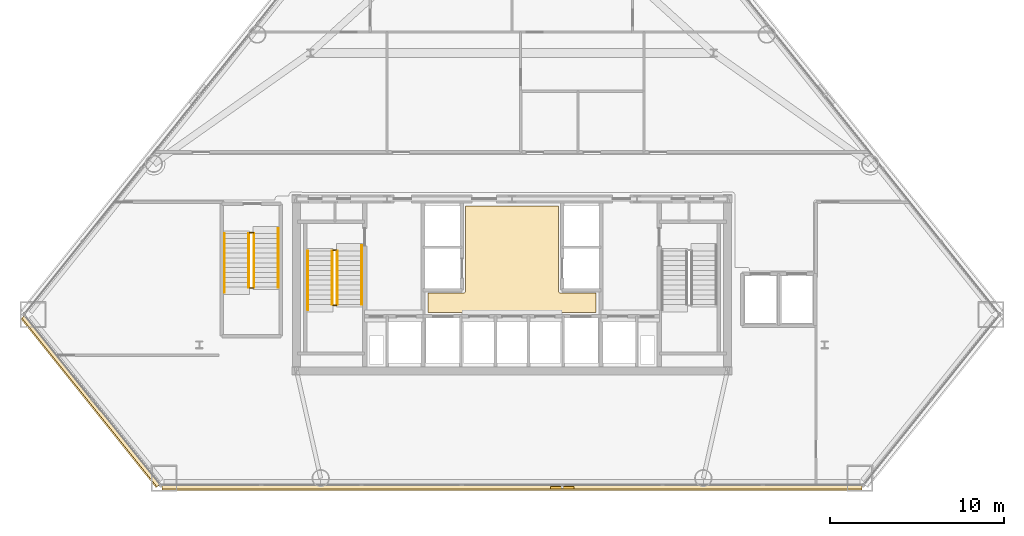
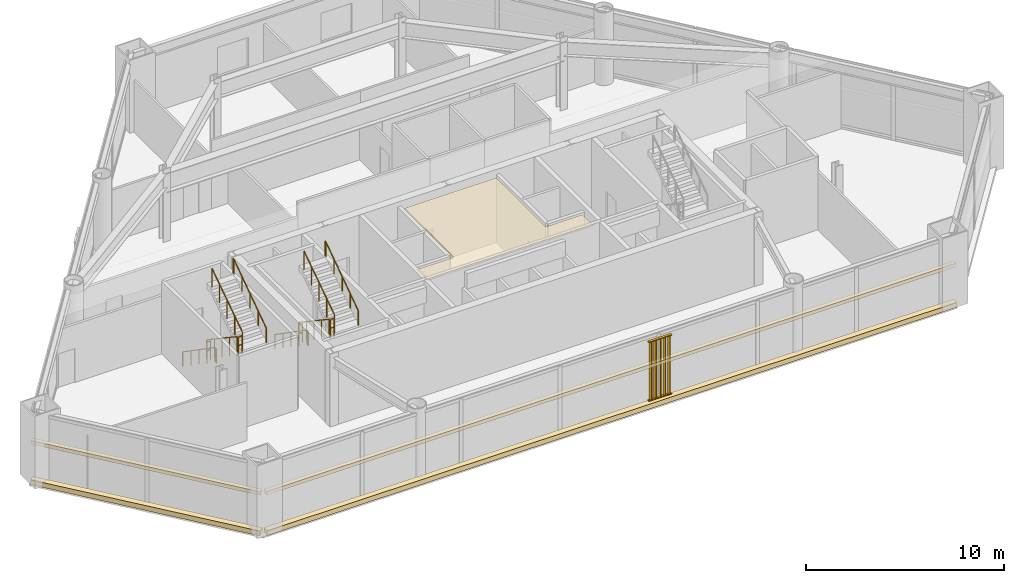
# One storey, part 11 of 13: 12 railings, 5 coverings, 1 shading device.
"""IFC4 building model written with IfcOpenShell, lengths in metres."""

import ifcopenshell
import ifcopenshell.guid

model = None  # the IFC model being written
_history = None  # IfcOwnerHistory: only IFC2X3 demands one
_inside = {}  # id of a spatial element -> (the spatial element, [elements in it])
_under = {}  # id of a project, library or spatial element -> (it, [spatial elements below it])
_declared = {}  # id of a project -> (the project, [libraries it declares])
_typed = {}  # id of a type object -> (the type object, [elements of that type])
_made_of = {}  # id of a material, layer set ... -> (it, [elements and type objects made of it])


def new_model(schema):
    """Start an empty IFC model of exactly this schema.

    Asked for "IFC4X3", IfcOpenShell would pick the latest addendum, in which some entities
    have other attributes; the version numbers below select the first issue.
    IFC2X3 requires an IfcOwnerHistory on every rooted entity: one is made here for all.
    """
    global model, _history
    if schema == "IFC4X3":
        model = ifcopenshell.file(schema_version=(4, 3, 0, 0))
    else:
        model = ifcopenshell.file(schema=schema)
    _inside.clear()
    _under.clear()
    _declared.clear()
    _typed.clear()
    _made_of.clear()
    _history = None
    if model.schema == "IFC2X3":
        org = make("IfcOrganization", Name="unknown")
        user = make(
            "IfcPersonAndOrganization",
            ThePerson=make("IfcPerson", FamilyName="unknown"),
            TheOrganization=org,
        )
        app = make(
            "IfcApplication",
            ApplicationDeveloper=org,
            Version="unknown",
            ApplicationFullName="unknown",
            ApplicationIdentifier="unknown",
        )
        _history = make(
            "IfcOwnerHistory",
            OwningUser=user,
            OwningApplication=app,
            ChangeAction="ADDED",
            CreationDate=0,
        )
    return model


def make(cls, **values):
    """One entity of the class cls with the attributes given. An attribute that is None is left unset."""
    return model.create_entity(
        cls, **{name: value for name, value in values.items() if value is not None}
    )


def rooted(cls, **values):
    """An entity with a GlobalId (a new one), such as an element, a storey or a relation."""
    return make(cls, GlobalId=ifcopenshell.guid.new(), OwnerHistory=_history, **values)


def si_unit(unit_type, name, prefix=None):
    """IfcSIUnit, for example si_unit("LENGTHUNIT", "METRE", prefix="MILLI")."""
    return make("IfcSIUnit", UnitType=unit_type, Prefix=prefix, Name=name)


def assignment(units):
    """IfcUnitAssignment: the units of a project."""
    return None if units is None else make("IfcUnitAssignment", Units=units)


def point(xyz):
    """IfcCartesianPoint."""
    return None if xyz is None else make("IfcCartesianPoint", Coordinates=xyz)


def direction(xyz):
    """IfcDirection."""
    return None if xyz is None else make("IfcDirection", DirectionRatios=xyz)


def frame(location, z_axis=None, x_axis=None):
    """IfcAxis2Placement3D, a coordinate frame: its origin and axes. An axis left out is left unset."""
    return make(
        "IfcAxis2Placement3D",
        Location=point(location),
        Axis=direction(z_axis),
        RefDirection=direction(x_axis),
    )


def frame_2d(location, x_axis=None):
    """IfcAxis2Placement2D, a coordinate frame in the plane: its origin and x axis."""
    return make(
        "IfcAxis2Placement2D", Location=point(location), RefDirection=direction(x_axis)
    )


def origin():
    """The frame at (0, 0, 0) with its axes left unset."""
    return frame((0.0, 0.0, 0.0))


def origin_2d():
    """The frame at (0, 0) in the plane with its x axis left unset."""
    return frame_2d((0.0, 0.0))


def place(relative_to, where):
    """IfcLocalPlacement: puts the frame where relative to a parent placement (None: the world)."""
    return make(
        "IfcLocalPlacement", PlacementRelTo=relative_to, RelativePlacement=where
    )


def context(
    kind, dimensions, precision=None, world=None, true_north=None, identifier=None
):
    """IfcGeometricRepresentationContext, for example the 3D "Model" context."""
    return make(
        "IfcGeometricRepresentationContext",
        ContextIdentifier=identifier,
        ContextType=kind,
        CoordinateSpaceDimension=dimensions,
        Precision=precision,
        WorldCoordinateSystem=world,
        TrueNorth=true_north,
    )


def subcontext(parent, identifier, kind, view, scale=None):
    """IfcGeometricRepresentationSubContext, for example "Body" below "Model"."""
    return make(
        "IfcGeometricRepresentationSubContext",
        ContextIdentifier=identifier,
        ContextType=kind,
        ParentContext=parent,
        TargetScale=scale,
        TargetView=view,
    )


def project(units=None, contexts=None):
    """IfcProject with its units and contexts."""
    return rooted(
        "IfcProject",
        Name="project",
        RepresentationContexts=contexts,
        UnitsInContext=assignment(units),
    )


def spatial(cls, under=None, at=None, **own):
    """A site, building, storey or space (cls), placed at a placement, below another one or the project."""
    s = rooted(cls, ObjectPlacement=at, **own)
    if under is not None:
        _under.setdefault(under.id(), (under, []))[1].append(s)
    return s


def polyline(points):
    """IfcPolyline through the points."""
    return make("IfcPolyline", Points=[point(p) for p in points])


def profile(cls, at=None, kind="AREA", **sizes):
    """A parametric profile (cls). Its sizes go by their IFC names, for example OverallWidth=200.0."""
    return make(cls, ProfileType=kind, Position=at, **sizes)


def rectangle(**sizes):
    """IfcRectangleProfileDef."""
    return profile("IfcRectangleProfileDef", **sizes)


def outline(outer, holes=None, kind="AREA"):
    """IfcArbitraryClosedProfileDef: a profile drawn as a closed curve; with holes, ...WithVoids."""
    if holes is None:
        return make("IfcArbitraryClosedProfileDef", ProfileType=kind, OuterCurve=outer)
    return make(
        "IfcArbitraryProfileDefWithVoids",
        ProfileType=kind,
        OuterCurve=outer,
        InnerCurves=holes,
    )


def extrude(swept, where, along, depth):
    """IfcExtrudedAreaSolid: the profile swept, set in the frame where, extruded along a direction by depth."""
    return make(
        "IfcExtrudedAreaSolid",
        SweptArea=swept,
        Position=where,
        ExtrudedDirection=direction(along),
        Depth=depth,
    )


def shape(context_of_items, identifier, shape_type, items):
    """IfcShapeRepresentation: the items that make up one representation, for example the "Body"."""
    return make(
        "IfcShapeRepresentation",
        ContextOfItems=context_of_items,
        RepresentationIdentifier=identifier,
        RepresentationType=shape_type,
        Items=items,
    )


def source(mapping_origin, context_of_items, identifier, shape_type, items):
    """IfcRepresentationMap: a shape defined once, which mapped items show again and again."""
    return make(
        "IfcRepresentationMap",
        MappingOrigin=mapping_origin,
        MappedRepresentation=shape(context_of_items, identifier, shape_type, items),
    )


def transform(
    local_origin,
    x_axis=None,
    y_axis=None,
    z_axis=None,
    scale=None,
    scale2=None,
    scale3=None,
    uniform=True,
):
    """IfcCartesianTransformationOperator3D, or its non-uniform kind. x_axis, y_axis, z_axis: its Axis1, 2, 3."""
    if uniform:
        return make(
            "IfcCartesianTransformationOperator3D",
            Axis1=direction(x_axis),
            Axis2=direction(y_axis),
            LocalOrigin=point(local_origin),
            Scale=scale,
            Axis3=direction(z_axis),
        )
    return make(
        "IfcCartesianTransformationOperator3DnonUniform",
        Axis1=direction(x_axis),
        Axis2=direction(y_axis),
        LocalOrigin=point(local_origin),
        Scale=scale,
        Axis3=direction(z_axis),
        Scale2=scale2,
        Scale3=scale3,
    )


def mapped(mapping_source, mapping_target):
    """IfcMappedItem: shows the shape of a source again, moved by a transform."""
    return make(
        "IfcMappedItem", MappingSource=mapping_source, MappingTarget=mapping_target
    )


def material(Name=None, Category=None):
    """IfcMaterial."""
    return make("IfcMaterial", Name=Name, Category=Category)


def layer(
    of_material, thickness, ventilated=None, Name=None, Category=None, Priority=None
):
    """IfcMaterialLayer: one layer of a wall or slab, of a material (None: an air gap)."""
    return make(
        "IfcMaterialLayer",
        Material=of_material,
        LayerThickness=thickness,
        IsVentilated=ventilated,
        Name=Name,
        Category=Category,
        Priority=Priority,
    )


def layer_set(layers, Name=None):
    """IfcMaterialLayerSet."""
    return make("IfcMaterialLayerSet", MaterialLayers=layers, LayerSetName=Name)


def made_of(thing, what):
    """Note that an element or type object is made of a material, layer set ...; save() writes the relation."""
    if what is not None:
        _made_of.setdefault(what.id(), (what, []))[1].append(thing)
    return thing


def type_object(cls, material=None, **own):
    """A type object (cls), such as IfcWallType, which elements share."""
    return made_of(rooted(cls, **own), material)


def type_shapes(of_type, sources):
    """Give a type object the sources (RepresentationMaps) that its elements show as mapped items."""
    of_type.RepresentationMaps = sources


def element(
    cls,
    number,
    at=None,
    inside=None,
    cuts=None,
    type_object=None,
    material=None,
    context=None,
    identifier="Body",
    shape_type=None,
    held_by="IfcProductDefinitionShape",
    body=None,
    shapes=None,
    **own,
):
    """One element of the class cls, such as IfcWall. Its Tag is "e" and its number.

    at: its placement. inside: the storey or other place that contains it. cuts: it is an
    opening in that element (IfcRelVoidsElement). A single representation is given by context,
    identifier, shape_type and body (its items); several are given by shapes. held_by: the class
    of the entity that holds the representations. save() writes the other relations.
    """
    e = rooted(cls, Tag="e%d" % number, ObjectPlacement=at, **own)
    if body is not None:
        shapes = [shape(context, identifier, shape_type, body)]
    if shapes is not None:
        e.Representation = make(held_by, Representations=shapes)
    if inside is not None:
        _inside.setdefault(inside.id(), (inside, []))[1].append(e)
    if cuts is not None:
        rooted(
            "IfcRelVoidsElement", RelatingBuildingElement=cuts, RelatedOpeningElement=e
        )
    if type_object is not None:
        _typed.setdefault(type_object.id(), (type_object, []))[1].append(e)
    return made_of(e, material)


def aggregate(whole, parts):
    """IfcRelAggregates: a whole, such as a stair, and the parts it consists of."""
    return rooted("IfcRelAggregates", RelatingObject=whole, RelatedObjects=parts)


def save(model, path):
    """Write the relations noted so far, then the file.

    IfcRelAggregates (storeys below a building ...), IfcRelContainedInSpatialStructure (elements
    in a storey), IfcRelDefinesByType, IfcRelAssociatesMaterial and IfcRelDeclares: one each for
    every whole, place, type object, material and project.
    """
    for whole, parts in _under.values():
        aggregate(whole, parts)
    for where, things in _inside.values():
        rooted(
            "IfcRelContainedInSpatialStructure",
            RelatedElements=things,
            RelatingStructure=where,
        )
    for kind, things in _typed.values():
        rooted("IfcRelDefinesByType", RelatedObjects=things, RelatingType=kind)
    for what, things in _made_of.values():
        rooted("IfcRelAssociatesMaterial", RelatedObjects=things, RelatingMaterial=what)
    for by, libraries in _declared.values():
        rooted("IfcRelDeclares", RelatingContext=by, RelatedDefinitions=libraries)
    model.write(path)


model = new_model("IFC4")

# Units and contexts
model_context = context("Model", 3, precision=1e-05, world=origin(), true_north=direction((0.0, 1.0)))
body_context = subcontext(model_context, "Body", "Model", "MODEL_VIEW")
ifc_project = project(units=[si_unit("LENGTHUNIT", "METRE"), si_unit("AREAUNIT", "SQUARE_METRE"), si_unit("VOLUMEUNIT", "CUBIC_METRE"), si_unit("PLANEANGLEUNIT", "RADIAN"), si_unit("MASSUNIT", "GRAM", prefix="KILO")], contexts=[model_context])

# Site, building, storey
site_placement = place(None, origin())
site = spatial("IfcSite", under=ifc_project, at=site_placement, CompositionType="ELEMENT")
building_placement = place(site_placement, origin())
building = spatial("IfcBuilding", under=site, at=building_placement, Name="Talgorran Terracotta Tower", CompositionType="ELEMENT")
storey_placement = place(building_placement, frame((0.0, 0.0, 9.89990234375)))
storey = spatial("IfcBuildingStorey", under=building, at=storey_placement, Name="L02", CompositionType="ELEMENT", Elevation=9.89990234375)

# Coverings
ifc_material_1 = material(Name="Kiln-Fired Terracotta Ochre Ceramic", Category="masonry")
ifc_layer_1 = layer(ifc_material_1, 0.179931640625, Name="COV_BAGUETTE_TERRACOTTA_SCREEN")
ifc_layer_set_1 = layer_set([ifc_layer_1], Name="Kiln-Fired Terracotta Ochre Ceramic")
covering_type_1 = type_object("IfcCoveringType", Name="COV_BAGUETTE_TERRACOTTA_SCREEN", PredefinedType="CLADDING", material=ifc_layer_set_1)
covering_1_placement = place(storey_placement, frame((-24.226318359375, -15.83056640625, 2.41015625), z_axis=(0.0, 0.0, 1.0), x_axis=(0.625120058901, -0.780528610597, 0.0)))
element("IfcCovering", 1, at=covering_1_placement, inside=storey, type_object=covering_type_1, Name="L02 Terracotta Baguette Solar Screen Assembly F0", PredefinedType="CLADDING", context=body_context, shape_type="SweptSolid", body=[
    extrude(rectangle(XDim=12.4462890625, YDim=0.260009765625, at=origin_2d()), origin(), (0.0, 0.0, 1.0), 0.219970703125),
])
covering_2_placement = place(storey_placement, frame((0.0, -20.780029296875, 2.41015625), z_axis=(0.0, 0.0, 1.0), x_axis=(1.0, 0.0, 0.0)))
element("IfcCovering", 2, at=covering_2_placement, inside=storey, type_object=covering_type_1, Name="L02 Terracotta Baguette Solar Screen Assembly F1", PredefinedType="CLADDING", context=body_context, shape_type="SweptSolid", body=[
    extrude(rectangle(XDim=40.288818359375, YDim=0.260009765625, at=origin_2d()), origin(), (0.0, 0.0, 1.0), 0.219970703125),
])
ifc_material_2 = material(Name="Flush Moisture-Resistant Plaster")
ifc_layer_2 = layer(ifc_material_2, 0.01806640625, Name="COV_CEIL_PLASTER")
ifc_layer_set_2 = layer_set([ifc_layer_2], Name="Flush Moisture-Resistant Plaster")
covering_type_2 = type_object("IfcCoveringType", Name="COV_CEIL_PLASTER", PredefinedType="CEILING", material=ifc_layer_set_2)
covering_3_placement = place(storey_placement, frame((0.0, 0.0, 4.130126953125)))
element("IfcCovering", 3, at=covering_3_placement, inside=storey, type_object=covering_type_2, Name="CEIL-L02-1", PredefinedType="CEILING", context=body_context, shape_type="SweptSolid", body=[
    extrude(outline(polyline([(-4.830078125, -9.6201171875), (-2.800048828125, -9.6201171875), (-2.7880859375, -9.619384765625), (-2.776611328125, -9.61767578125), (-2.76513671875, -9.61474609375), (-2.754150390625, -9.61083984375), (-2.743408203125, -9.605712890625), (-2.7333984375, -9.599853515625), (-2.723876953125, -9.5927734375), (-2.715087890625, -9.5849609375), (-2.707275390625, -9.576171875), (-2.7001953125, -9.566650390625), (-2.694091796875, -9.556640625), (-2.689208984375, -9.5458984375), (-2.685302734375, -9.534912109375), (-2.682373046875, -9.5234375), (-2.6806640625, -9.51171875), (-2.679931640625, -9.5), (-2.679931640625, -4.6201171875), (2.679931640625, -4.6201171875), (2.679931640625, -9.5), (2.6806640625, -9.51171875), (2.682373046875, -9.5234375), (2.685302734375, -9.534912109375), (2.689208984375, -9.5458984375), (2.694091796875, -9.556640625), (2.7001953125, -9.566650390625), (2.707275390625, -9.576171875), (2.715087890625, -9.5849609375), (2.723876953125, -9.5927734375), (2.7333984375, -9.599853515625), (2.743408203125, -9.605712890625), (2.754150390625, -9.61083984375), (2.76513671875, -9.61474609375), (2.776611328125, -9.61767578125), (2.7880859375, -9.619384765625), (2.800048828125, -9.6201171875), (4.830078125, -9.6201171875), (4.830078125, -10.72998046875), (-4.830078125, -10.72998046875), (-4.830078125, -9.6201171875)])), origin(), (0.0, 0.0, 1.0), 0.02001953125),
])
ifc_material_3 = material(Name="Honed Limestone Cladding", Category="masonry")
ifc_layer_3 = layer(ifc_material_3, 0.094970703125, Name="COV_PORTAL_LIME")
ifc_layer_set_3 = layer_set([ifc_layer_3], Name="Honed Limestone Cladding")
covering_type_3 = type_object("IfcCoveringType", Name="COV_PORTAL_LIME", PredefinedType="CLADDING", material=ifc_layer_set_3)
covering_4_placement = place(storey_placement, frame((-24.257568359375, -15.85546875, -0.0400390625), z_axis=(0.0, 0.0, 1.0), x_axis=(0.625120058901, -0.780528610597, 0.0)))
element("IfcCovering", 4, at=covering_4_placement, inside=storey, type_object=covering_type_3, Name="L02 Striped Postmodern Portal Cladding Band F0", PredefinedType="CLADDING", context=body_context, shape_type="SweptSolid", body=[
    extrude(rectangle(XDim=12.46630859375, YDim=0.340087890625, at=origin_2d()), origin(), (0.0, 0.0, 1.0), 0.300048828125),
])
covering_5_placement = place(storey_placement, frame((0.0, -20.820068359375, -0.0400390625), z_axis=(0.0, 0.0, 1.0), x_axis=(1.0, 0.0, 0.0)))
element("IfcCovering", 5, at=covering_5_placement, inside=storey, type_object=covering_type_3, Name="L02 Striped Postmodern Portal Cladding Band F1", PredefinedType="CLADDING", context=body_context, shape_type="SweptSolid", body=[
    extrude(rectangle(XDim=40.308837890625, YDim=0.340087890625, at=origin_2d()), origin(), (0.0, 0.0, 1.0), 0.300048828125),
])

# Railings
ifc_material_4 = material(Name="Steel S355 (300PLUS)", Category="steel")
railing_type_1 = type_object("IfcRailingType", Name="RL_HANDRAIL_920", PredefinedType="HANDRAIL", material=ifc_material_4)
railing_1_placement = place(storey_placement, frame((-11.75, -7.199951171875, 0.1875)))
element("IfcRailing", 6, at=railing_1_placement, inside=storey, type_object=railing_type_1, Name="L02 ST-01 stair handrail 1", PredefinedType="HANDRAIL", context=body_context, shape_type="SweptSolid", body=[
    extrude(rectangle(XDim=0.048095703125, YDim=0.048095703125, at=origin_2d()), frame((0.0, 0.0, 0.89599609375), z_axis=(0.0, -0.82301009837, 0.568026740551), x_axis=(1.0, 0.0, 0.0)), (0.0, 0.0, 1.0), 3.961181640625),
    extrude(rectangle(XDim=0.048095703125, YDim=0.048095703125, at=origin_2d()), frame((0.0, -3.260009765625, 3.14599609375), z_axis=(0.0, -1.0, 0.0), x_axis=(1.0, 0.0, 0.0)), (0.0, 0.0, 1.0), 0.1201171875),
    extrude(rectangle(XDim=0.0419921875, YDim=0.0419921875, at=origin_2d()), origin(), (0.0, 0.0, 1.0), 0.871826171875),
    extrude(rectangle(XDim=0.0419921875, YDim=0.0419921875, at=origin_2d()), frame((0.0, -0.81494140625, 0.5625)), (0.0, 0.0, 1.0), 0.871826171875),
    extrude(rectangle(XDim=0.0419921875, YDim=0.0419921875, at=origin_2d()), frame((0.0, -1.6298828125, 1.125)), (0.0, 0.0, 1.0), 0.871826171875),
    extrude(rectangle(XDim=0.0419921875, YDim=0.0419921875, at=origin_2d()), frame((0.0, -2.445068359375, 1.6875)), (0.0, 0.0, 1.0), 0.871826171875),
    extrude(rectangle(XDim=0.0419921875, YDim=0.0419921875, at=origin_2d()), frame((0.0, -3.260009765625, 2.25)), (0.0, 0.0, 1.0), 0.871826171875),
    extrude(rectangle(XDim=0.0419921875, YDim=0.0419921875, at=origin_2d()), frame((0.0, -3.380126953125, 2.25)), (0.0, 0.0, 1.0), 0.871826171875),
])
railing_2_placement = place(storey_placement, frame((-8.64990234375, -10.280029296875, 2.4375)))
element("IfcRailing", 7, at=railing_2_placement, inside=storey, type_object=railing_type_1, Name="L02 ST-01 stair handrail 2", PredefinedType="HANDRAIL", context=body_context, shape_type="SweptSolid", body=[
    extrude(rectangle(XDim=0.048095703125, YDim=0.048095703125, at=origin_2d()), frame((0.0, 0.0, 0.89599609375), z_axis=(0.0, 0.82301009837, 0.568026740551), x_axis=(-1.0, 0.0, 0.0)), (0.0, 0.0, 1.0), 3.961181640625),
    extrude(rectangle(XDim=0.048095703125, YDim=0.048095703125, at=origin_2d()), frame((0.0, 3.260009765625, 3.14599609375), z_axis=(0.0, 1.0, 0.0), x_axis=(-1.0, 0.0, 0.0)), (0.0, 0.0, 1.0), 0.1201171875),
    extrude(rectangle(XDim=0.0419921875, YDim=0.0419921875, at=origin_2d()), origin(), (0.0, 0.0, 1.0), 0.871826171875),
    extrude(rectangle(XDim=0.0419921875, YDim=0.0419921875, at=origin_2d()), frame((0.0, 0.81494140625, 0.5625)), (0.0, 0.0, 1.0), 0.871826171875),
    extrude(rectangle(XDim=0.0419921875, YDim=0.0419921875, at=origin_2d()), frame((0.0, 1.6298828125, 1.125)), (0.0, 0.0, 1.0), 0.871826171875),
    extrude(rectangle(XDim=0.0419921875, YDim=0.0419921875, at=origin_2d()), frame((0.0, 2.445068359375, 1.6875)), (0.0, 0.0, 1.0), 0.871826171875),
    extrude(rectangle(XDim=0.0419921875, YDim=0.0419921875, at=origin_2d()), frame((0.0, 3.260009765625, 2.25)), (0.0, 0.0, 1.0), 0.871826171875),
    extrude(rectangle(XDim=0.0419921875, YDim=0.0419921875, at=origin_2d()), frame((0.0, 3.380126953125, 2.25)), (0.0, 0.0, 1.0), 0.871826171875),
])
railing_3_placement = place(storey_placement, frame((-16.550048828125, -6.199951171875, 0.1875)))
element("IfcRailing", 8, at=railing_3_placement, inside=storey, type_object=railing_type_1, Name="L02 ST-03 stair handrail 1", PredefinedType="HANDRAIL", context=body_context, shape_type="SweptSolid", body=[
    extrude(rectangle(XDim=0.048095703125, YDim=0.048095703125, at=origin_2d()), frame((0.0, 0.0, 0.89599609375), z_axis=(0.0, -0.82301009837, 0.568026740551), x_axis=(1.0, 0.0, 0.0)), (0.0, 0.0, 1.0), 3.961181640625),
    extrude(rectangle(XDim=0.048095703125, YDim=0.048095703125, at=origin_2d()), frame((0.0, -3.260009765625, 3.14599609375), z_axis=(0.0, -1.0, 0.0), x_axis=(1.0, 0.0, 0.0)), (0.0, 0.0, 1.0), 0.1201171875),
    extrude(rectangle(XDim=0.0419921875, YDim=0.0419921875, at=origin_2d()), origin(), (0.0, 0.0, 1.0), 0.871826171875),
    extrude(rectangle(XDim=0.0419921875, YDim=0.0419921875, at=origin_2d()), frame((0.0, -0.81494140625, 0.5625)), (0.0, 0.0, 1.0), 0.871826171875),
    extrude(rectangle(XDim=0.0419921875, YDim=0.0419921875, at=origin_2d()), frame((0.0, -1.6298828125, 1.125)), (0.0, 0.0, 1.0), 0.871826171875),
    extrude(rectangle(XDim=0.0419921875, YDim=0.0419921875, at=origin_2d()), frame((0.0, -2.445068359375, 1.6875)), (0.0, 0.0, 1.0), 0.871826171875),
    extrude(rectangle(XDim=0.0419921875, YDim=0.0419921875, at=origin_2d()), frame((0.0, -3.260009765625, 2.25)), (0.0, 0.0, 1.0), 0.871826171875),
    extrude(rectangle(XDim=0.0419921875, YDim=0.0419921875, at=origin_2d()), frame((0.0, -3.380126953125, 2.25)), (0.0, 0.0, 1.0), 0.871826171875),
])
railing_4_placement = place(storey_placement, frame((-13.449951171875, -9.280029296875, 2.4375)))
element("IfcRailing", 9, at=railing_4_placement, inside=storey, type_object=railing_type_1, Name="L02 ST-03 stair handrail 2", PredefinedType="HANDRAIL", context=body_context, shape_type="SweptSolid", body=[
    extrude(rectangle(XDim=0.048095703125, YDim=0.048095703125, at=origin_2d()), frame((0.0, 0.0, 0.89599609375), z_axis=(0.0, 0.82301009837, 0.568026740551), x_axis=(-1.0, 0.0, 0.0)), (0.0, 0.0, 1.0), 3.961181640625),
    extrude(rectangle(XDim=0.048095703125, YDim=0.048095703125, at=origin_2d()), frame((0.0, 3.260009765625, 3.14599609375), z_axis=(0.0, 1.0, 0.0), x_axis=(-1.0, 0.0, 0.0)), (0.0, 0.0, 1.0), 0.1201171875),
    extrude(rectangle(XDim=0.0419921875, YDim=0.0419921875, at=origin_2d()), origin(), (0.0, 0.0, 1.0), 0.871826171875),
    extrude(rectangle(XDim=0.0419921875, YDim=0.0419921875, at=origin_2d()), frame((0.0, 0.81494140625, 0.5625)), (0.0, 0.0, 1.0), 0.871826171875),
    extrude(rectangle(XDim=0.0419921875, YDim=0.0419921875, at=origin_2d()), frame((0.0, 1.6298828125, 1.125)), (0.0, 0.0, 1.0), 0.871826171875),
    extrude(rectangle(XDim=0.0419921875, YDim=0.0419921875, at=origin_2d()), frame((0.0, 2.445068359375, 1.6875)), (0.0, 0.0, 1.0), 0.871826171875),
    extrude(rectangle(XDim=0.0419921875, YDim=0.0419921875, at=origin_2d()), frame((0.0, 3.260009765625, 2.25)), (0.0, 0.0, 1.0), 0.871826171875),
    extrude(rectangle(XDim=0.0419921875, YDim=0.0419921875, at=origin_2d()), frame((0.0, 3.380126953125, 2.25)), (0.0, 0.0, 1.0), 0.871826171875),
])
railing_type_2 = type_object("IfcRailingType", Name="RL_STAIR_GUARD", PredefinedType="GUARDRAIL", material=ifc_material_4)
railing_5_placement = place(storey_placement, frame((-10.35009765625, -7.199951171875, 0.1875)))
element("IfcRailing", 10, at=railing_5_placement, inside=storey, type_object=railing_type_2, Name="L02 ST-01 stair guard 1", PredefinedType="GUARDRAIL", context=body_context, shape_type="SweptSolid", body=[
    extrude(rectangle(XDim=0.048095703125, YDim=0.048095703125, at=origin_2d()), frame((0.0, 0.0, 1.15576171875), z_axis=(0.0, -0.830913701846, 0.55640131208), x_axis=(1.0, 0.0, 0.0)), (0.0, 0.0, 1.0), 3.706787109375),
    extrude(rectangle(XDim=0.0419921875, YDim=0.0419921875, at=origin_2d()), origin(), (0.0, 0.0, 1.0), 1.1318359375),
    extrude(rectangle(XDim=0.0419921875, YDim=0.0419921875, at=origin_2d()), frame((0.0, -0.77001953125, 0.515625)), (0.0, 0.0, 1.0), 1.1318359375),
    extrude(rectangle(XDim=0.0419921875, YDim=0.0419921875, at=origin_2d()), frame((0.0, -1.5400390625, 1.03125)), (0.0, 0.0, 1.0), 1.1318359375),
    extrude(rectangle(XDim=0.0419921875, YDim=0.0419921875, at=origin_2d()), frame((0.0, -2.31005859375, 1.546875)), (0.0, 0.0, 1.0), 1.1318359375),
    extrude(rectangle(XDim=0.0419921875, YDim=0.0419921875, at=origin_2d()), frame((0.0, -3.080078125, 2.0625)), (0.0, 0.0, 1.0), 1.1318359375),
])
railing_6_placement = place(storey_placement, frame((-10.300048828125, -10.330078125, 2.25)))
element("IfcRailing", 11, at=railing_6_placement, inside=storey, type_object=railing_type_2, Name="L02 ST-01 stair guard 2", PredefinedType="GUARDRAIL", context=body_context, shape_type="SweptSolid", body=[
    extrude(rectangle(XDim=0.048095703125, YDim=0.048095703125, at=origin_2d()), frame((0.0, 0.0, 1.15576171875), z_axis=(1.0, 0.0, 0.0), x_axis=(0.0, 1.0, 0.0)), (0.0, 0.0, 1.0), 0.199951171875),
    extrude(rectangle(XDim=0.048095703125, YDim=0.048095703125, at=origin_2d()), frame((0.0, 0.0, 0.613525390625), z_axis=(1.0, 0.0, 0.0), x_axis=(0.0, 1.0, 0.0)), (0.0, 0.0, 1.0), 0.199951171875),
    extrude(rectangle(XDim=0.0419921875, YDim=0.0419921875, at=origin_2d()), origin(), (0.0, 0.0, 1.0), 1.1318359375),
    extrude(rectangle(XDim=0.0419921875, YDim=0.0419921875, at=origin_2d()), frame((0.199951171875, 0.0, 0.0)), (0.0, 0.0, 1.0), 1.1318359375),
])
railing_7_placement = place(storey_placement, frame((-10.050048828125, -10.280029296875, 2.4375)))
element("IfcRailing", 12, at=railing_7_placement, inside=storey, type_object=railing_type_2, Name="L02 ST-01 stair guard 3", PredefinedType="GUARDRAIL", context=body_context, shape_type="SweptSolid", body=[
    extrude(rectangle(XDim=0.048095703125, YDim=0.048095703125, at=origin_2d()), frame((0.0, 0.0, 1.15576171875), z_axis=(0.0, 0.830913701846, 0.55640131208), x_axis=(-1.0, 0.0, 0.0)), (0.0, 0.0, 1.0), 3.706787109375),
    extrude(rectangle(XDim=0.0419921875, YDim=0.0419921875, at=origin_2d()), origin(), (0.0, 0.0, 1.0), 1.1318359375),
    extrude(rectangle(XDim=0.0419921875, YDim=0.0419921875, at=origin_2d()), frame((0.0, 0.77001953125, 0.515625)), (0.0, 0.0, 1.0), 1.1318359375),
    extrude(rectangle(XDim=0.0419921875, YDim=0.0419921875, at=origin_2d()), frame((0.0, 1.5400390625, 1.03125)), (0.0, 0.0, 1.0), 1.1318359375),
    extrude(rectangle(XDim=0.0419921875, YDim=0.0419921875, at=origin_2d()), frame((0.0, 2.31005859375, 1.546875)), (0.0, 0.0, 1.0), 1.1318359375),
    extrude(rectangle(XDim=0.0419921875, YDim=0.0419921875, at=origin_2d()), frame((0.0, 3.080078125, 2.0625)), (0.0, 0.0, 1.0), 1.1318359375),
])
railing_8_placement = place(storey_placement, frame((-10.300048828125, -7.14990234375, 0.0)))
element("IfcRailing", 13, at=railing_8_placement, inside=storey, type_object=railing_type_2, Name="L02 ST-01 stair guard 4", PredefinedType="GUARDRAIL", context=body_context, shape_type="SweptSolid", body=[
    extrude(rectangle(XDim=0.048095703125, YDim=0.048095703125, at=origin_2d()), frame((0.0, 0.0, 1.15576171875), z_axis=(1.0, 0.0, 0.0), x_axis=(0.0, 1.0, 0.0)), (0.0, 0.0, 1.0), 0.199951171875),
    extrude(rectangle(XDim=0.048095703125, YDim=0.048095703125, at=origin_2d()), frame((0.0, 0.0, 0.613525390625), z_axis=(1.0, 0.0, 0.0), x_axis=(0.0, 1.0, 0.0)), (0.0, 0.0, 1.0), 0.199951171875),
    extrude(rectangle(XDim=0.0419921875, YDim=0.0419921875, at=origin_2d()), origin(), (0.0, 0.0, 1.0), 1.1318359375),
    extrude(rectangle(XDim=0.0419921875, YDim=0.0419921875, at=origin_2d()), frame((0.199951171875, 0.0, 0.0)), (0.0, 0.0, 1.0), 1.1318359375),
])
railing_9_placement = place(storey_placement, frame((-15.14990234375, -6.199951171875, 0.1875)))
element("IfcRailing", 14, at=railing_9_placement, inside=storey, type_object=railing_type_2, Name="L02 ST-03 stair guard 1", PredefinedType="GUARDRAIL", context=body_context, shape_type="SweptSolid", body=[
    extrude(rectangle(XDim=0.048095703125, YDim=0.048095703125, at=origin_2d()), frame((0.0, 0.0, 1.15576171875), z_axis=(0.0, -0.830913701846, 0.55640131208), x_axis=(1.0, 0.0, 0.0)), (0.0, 0.0, 1.0), 3.706787109375),
    extrude(rectangle(XDim=0.0419921875, YDim=0.0419921875, at=origin_2d()), origin(), (0.0, 0.0, 1.0), 1.1318359375),
    extrude(rectangle(XDim=0.0419921875, YDim=0.0419921875, at=origin_2d()), frame((0.0, -0.77001953125, 0.515625)), (0.0, 0.0, 1.0), 1.1318359375),
    extrude(rectangle(XDim=0.0419921875, YDim=0.0419921875, at=origin_2d()), frame((0.0, -1.5400390625, 1.03125)), (0.0, 0.0, 1.0), 1.1318359375),
    extrude(rectangle(XDim=0.0419921875, YDim=0.0419921875, at=origin_2d()), frame((0.0, -2.31005859375, 1.546875)), (0.0, 0.0, 1.0), 1.1318359375),
    extrude(rectangle(XDim=0.0419921875, YDim=0.0419921875, at=origin_2d()), frame((0.0, -3.080078125, 2.0625)), (0.0, 0.0, 1.0), 1.1318359375),
])
railing_10_placement = place(storey_placement, frame((-15.10009765625, -9.330078125, 2.25)))
element("IfcRailing", 15, at=railing_10_placement, inside=storey, type_object=railing_type_2, Name="L02 ST-03 stair guard 2", PredefinedType="GUARDRAIL", context=body_context, shape_type="SweptSolid", body=[
    extrude(rectangle(XDim=0.048095703125, YDim=0.048095703125, at=origin_2d()), frame((0.0, 0.0, 1.15576171875), z_axis=(1.0, 0.0, 0.0), x_axis=(0.0, 1.0, 0.0)), (0.0, 0.0, 1.0), 0.2001953125),
    extrude(rectangle(XDim=0.048095703125, YDim=0.048095703125, at=origin_2d()), frame((0.0, 0.0, 0.613525390625), z_axis=(1.0, 0.0, 0.0), x_axis=(0.0, 1.0, 0.0)), (0.0, 0.0, 1.0), 0.2001953125),
    extrude(rectangle(XDim=0.0419921875, YDim=0.0419921875, at=origin_2d()), origin(), (0.0, 0.0, 1.0), 1.1318359375),
    extrude(rectangle(XDim=0.0419921875, YDim=0.0419921875, at=origin_2d()), frame((0.2001953125, 0.0, 0.0)), (0.0, 0.0, 1.0), 1.1318359375),
])
railing_11_placement = place(storey_placement, frame((-14.85009765625, -9.280029296875, 2.4375)))
element("IfcRailing", 16, at=railing_11_placement, inside=storey, type_object=railing_type_2, Name="L02 ST-03 stair guard 3", PredefinedType="GUARDRAIL", context=body_context, shape_type="SweptSolid", body=[
    extrude(rectangle(XDim=0.048095703125, YDim=0.048095703125, at=origin_2d()), frame((0.0, 0.0, 1.15576171875), z_axis=(0.0, 0.830913701846, 0.55640131208), x_axis=(-1.0, 0.0, 0.0)), (0.0, 0.0, 1.0), 3.706787109375),
    extrude(rectangle(XDim=0.0419921875, YDim=0.0419921875, at=origin_2d()), origin(), (0.0, 0.0, 1.0), 1.1318359375),
    extrude(rectangle(XDim=0.0419921875, YDim=0.0419921875, at=origin_2d()), frame((0.0, 0.77001953125, 0.515625)), (0.0, 0.0, 1.0), 1.1318359375),
    extrude(rectangle(XDim=0.0419921875, YDim=0.0419921875, at=origin_2d()), frame((0.0, 1.5400390625, 1.03125)), (0.0, 0.0, 1.0), 1.1318359375),
    extrude(rectangle(XDim=0.0419921875, YDim=0.0419921875, at=origin_2d()), frame((0.0, 2.31005859375, 1.546875)), (0.0, 0.0, 1.0), 1.1318359375),
    extrude(rectangle(XDim=0.0419921875, YDim=0.0419921875, at=origin_2d()), frame((0.0, 3.080078125, 2.0625)), (0.0, 0.0, 1.0), 1.1318359375),
])
railing_12_placement = place(storey_placement, frame((-15.10009765625, -6.14990234375, 0.0)))
element("IfcRailing", 17, at=railing_12_placement, inside=storey, type_object=railing_type_2, Name="L02 ST-03 stair guard 4", PredefinedType="GUARDRAIL", context=body_context, shape_type="SweptSolid", body=[
    extrude(rectangle(XDim=0.048095703125, YDim=0.048095703125, at=origin_2d()), frame((0.0, 0.0, 1.15576171875), z_axis=(1.0, 0.0, 0.0), x_axis=(0.0, 1.0, 0.0)), (0.0, 0.0, 1.0), 0.2001953125),
    extrude(rectangle(XDim=0.048095703125, YDim=0.048095703125, at=origin_2d()), frame((0.0, 0.0, 0.613525390625), z_axis=(1.0, 0.0, 0.0), x_axis=(0.0, 1.0, 0.0)), (0.0, 0.0, 1.0), 0.2001953125),
    extrude(rectangle(XDim=0.0419921875, YDim=0.0419921875, at=origin_2d()), origin(), (0.0, 0.0, 1.0), 1.1318359375),
    extrude(rectangle(XDim=0.0419921875, YDim=0.0419921875, at=origin_2d()), frame((0.2001953125, 0.0, 0.0)), (0.0, 0.0, 1.0), 1.1318359375),
])

# Shading device
ifc_material_5 = material(Name="Kiln-Fired Terracotta", Category="masonry")
ifc_layer_4 = layer(ifc_material_5, 0.139892578125, Name="SHD_BAGUETTE_TERRA")
ifc_layer_set_4 = layer_set([ifc_layer_4], Name="Kiln-Fired Terracotta")
shading_device_type = type_object("IfcShadingDeviceType", Name="SHD_BAGUETTE_TERRA", PredefinedType="JALOUSIE", material=ifc_layer_set_4)
shared_shape = source(origin(), body_context, "Body", "SweptSolid", [
    extrude(rectangle(XDim=1.35009765625, YDim=0.139892578125, at=origin_2d()), origin(), (0.0, 0.0, 1.0), 0.054931640625),
    extrude(rectangle(XDim=1.35009765625, YDim=0.139892578125, at=origin_2d()), frame((0.0, 0.0, 3.614990234375)), (0.0, 0.0, 1.0), 0.054931640625),
    extrude(rectangle(XDim=0.074951171875, YDim=0.139892578125, at=origin_2d()), frame((-0.53515625, 0.0, 0.054931640625), z_axis=(0.0, 0.0, 1.0), x_axis=(0.866025403784, 0.5, 0.0)), (0.0, 0.0, 1.0), 3.56005859375),
    extrude(rectangle(XDim=0.074951171875, YDim=0.139892578125, at=origin_2d()), frame((-0.267578125, 0.0, 0.054931640625), z_axis=(0.0, 0.0, 1.0), x_axis=(0.866025403784, 0.5, 0.0)), (0.0, 0.0, 1.0), 3.56005859375),
    extrude(rectangle(XDim=0.074951171875, YDim=0.139892578125, at=origin_2d()), frame((0.0, 0.0, 0.054931640625), z_axis=(0.0, 0.0, 1.0), x_axis=(0.866025403784, 0.5, 0.0)), (0.0, 0.0, 1.0), 3.56005859375),
    extrude(rectangle(XDim=0.074951171875, YDim=0.139892578125, at=origin_2d()), frame((0.267578125, 0.0, 0.054931640625), z_axis=(0.0, 0.0, 1.0), x_axis=(0.866025403784, 0.5, 0.0)), (0.0, 0.0, 1.0), 3.56005859375),
    extrude(rectangle(XDim=0.074951171875, YDim=0.139892578125, at=origin_2d()), frame((0.53515625, 0.0, 0.054931640625), z_axis=(0.0, 0.0, 1.0), x_axis=(0.866025403784, 0.5, 0.0)), (0.0, 0.0, 1.0), 3.56005859375),
])
type_shapes(shading_device_type, [shared_shape])
shading_device_placement = place(storey_placement, frame((2.8876953125, -20.820068359375, 0.35009765625), z_axis=(0.0, 0.0, 1.0), x_axis=(1.0, 0.0, 0.0)))
element("IfcShadingDevice", 18, at=shading_device_placement, inside=storey, type_object=shading_device_type, Name="BAG-L02-F1", PredefinedType="JALOUSIE", context=body_context, shape_type="MappedRepresentation", body=[
    mapped(shared_shape, transform((0.0, 0.0, 0.0), scale=1.0)),
])

save(model, "model.ifc")
